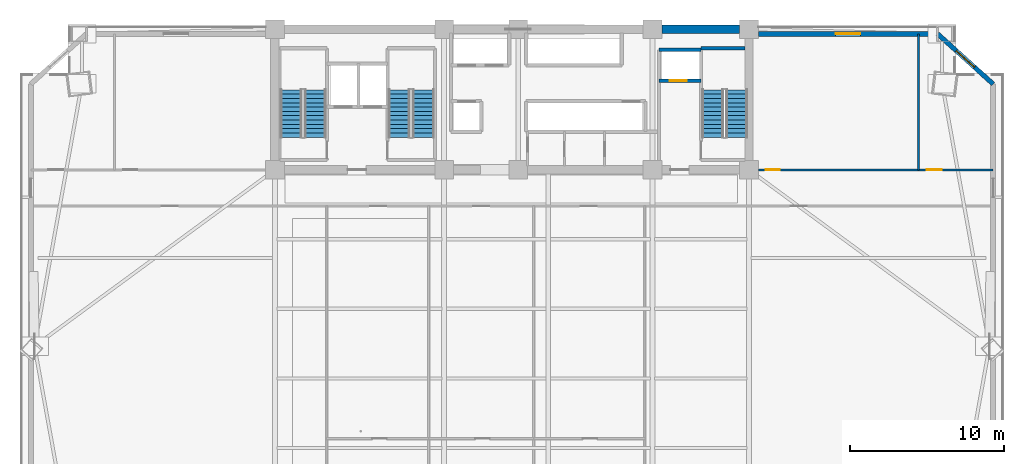
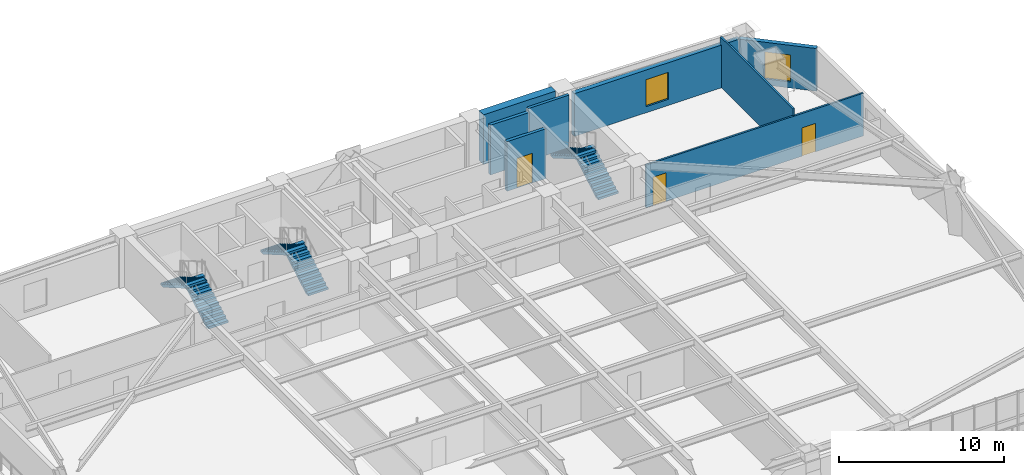
# One storey, part 10 of 16: 8 walls, 6 stair flights, 3 doors, 2 windows, 5 openings, 3 elements without a shape of their own.
"""IFC4 building model written with IfcOpenShell, lengths in metres."""

from ifc_helpers import new_model, si_unit, direction, frame, frame_2d, origin, place, context, subcontext, project, spatial, polyline, rectangle, outline, extrude, source, transform, mapped, material, layer, layer_set, type_object, element, fill, aggregate, save


model = new_model("IFC4")

# Units and contexts
model_context = context("Model", 3, precision=1e-05, world=origin(), true_north=direction((0.0, 1.0)))
body_context = subcontext(model_context, "Body", "Model", "MODEL_VIEW")
ifc_project = project(units=[si_unit("LENGTHUNIT", "METRE"), si_unit("AREAUNIT", "SQUARE_METRE"), si_unit("VOLUMEUNIT", "CUBIC_METRE"), si_unit("PLANEANGLEUNIT", "RADIAN"), si_unit("MASSUNIT", "GRAM", prefix="KILO")], contexts=[model_context])

# Site, building, storey
site_placement = place(None, origin())
site = spatial("IfcSite", under=ifc_project, at=site_placement, CompositionType="ELEMENT")
building_placement = place(site_placement, origin())
building = spatial("IfcBuilding", under=site, at=building_placement, Name="Giltprow Tower", CompositionType="ELEMENT")
storey_placement = place(building_placement, frame((0.0, 0.0, 83.5)))
storey = spatial("IfcBuildingStorey", under=building, at=storey_placement, Name="L20", CompositionType="ELEMENT", Elevation=83.5)

# Wall, opening, window
ifc_material_1 = material(Name="Precast concrete C40", Category="concrete")
ifc_layer_1 = layer(ifc_material_1, 0.300048828125, Name="Precast concrete C40")
ifc_layer_set_1 = layer_set([ifc_layer_1], Name="Precast concrete C40")
wall_type_1 = type_object("IfcWallType", Name="EW-NOTCH-CHAMFER-300", PredefinedType="SOLIDWALL", material=ifc_layer_set_1)
wall_1_placement = place(storey_placement, frame((66.361083984375, 43.00390625, 0.0), z_axis=(0.0, 0.0, 1.0), x_axis=(-0.74231608288, 0.67004987359, 0.0)))
wall_1 = element("IfcWall", 1, at=wall_1_placement, inside=storey, type_object=wall_type_1, Name="L20 Corner Notch Wall NE", PredefinedType="SOLIDWALL", context=body_context, shape_type="SweptSolid", body=[
    extrude(rectangle(XDim=4.844482421875, YDim=0.300048828125, at=frame_2d((2.42236328125, 0.0))), origin(), (0.0, 0.0, 1.0), 3.159912109375),
])
opening_1_placement = place(wall_1_placement, frame((1.6220703125, 0.0, 0.449951171875)))
opening_1 = element("IfcOpeningElement", 2, at=opening_1_placement, cuts=wall_1, Name="Opening WN17", PredefinedType="OPENING", context=body_context, shape_type="SweptSolid", body=[
    extrude(rectangle(XDim=1.60009765625, YDim=2.0, at=frame_2d((0.800048828125, 1.0))), frame((0.0, 0.159912109375, 0.0), z_axis=(0.0, -1.0, 0.0), x_axis=(1.0, 0.0, 0.0)), (0.0, 0.0, 1.0), 0.320068359375),
])
ifc_material_2 = material(Name="Insulated glass", Category="glass")
window_type = type_object("IfcWindowType", Name="WN-COR-1600x2000", PartitioningType="SINGLE_PANEL", PredefinedType="WINDOW", material=ifc_material_2)
shared_shape_1 = source(origin(), body_context, "Body", "SweptSolid", [
    extrude(rectangle(XDim=1.60009765625, YDim=2.0, at=frame_2d((0.800048828125, 1.0))), frame((0.0, 0.030029296875, 0.0), z_axis=(0.0, -1.0, 0.0), x_axis=(1.0, 0.0, 0.0)), (0.0, 0.0, 1.0), 0.06005859375),
])
window_1_placement = place(opening_1_placement, origin())
window_1 = element("IfcWindow", 3, at=window_1_placement, inside=storey, type_object=window_type, Name="L20 Corner Notch Window NE", OverallHeight=2.0, OverallWidth=1.60009765625, PartitioningType="SINGLE_PANEL", PredefinedType="WINDOW", context=body_context, shape_type="MappedRepresentation", body=[
    mapped(shared_shape_1, transform((0.0, 0.0, 0.0), x_axis=(1.0, 0.0, 0.0), y_axis=(0.0, 1.0, 0.0), z_axis=(0.0, 0.0, 1.0), scale=1.0)),
])
fill(opening_1, window_1)

ifc_layer_2 = layer(ifc_material_1, 0.320068359375, Name="Precast concrete C40")
ifc_layer_set_2 = layer_set([ifc_layer_2], Name="Precast concrete C40")
wall_type_2 = type_object("IfcWallType", Name="EW-TOW-STONE-320", PredefinedType="SOLIDWALL", material=ifc_layer_set_2)
wall_2_placement = place(storey_placement, frame((51.14990234375, 46.25, 0.0), z_axis=(0.0, 0.0, 1.0), x_axis=(1.0, 0.0, 0.0)))
wall_2 = element("IfcWall", 4, at=wall_2_placement, inside=storey, type_object=wall_type_2, Name="L20 North-East Wing Wall", PredefinedType="SOLIDWALL", context=body_context, shape_type="SweptSolid", body=[
    extrude(rectangle(XDim=11.614990234375, YDim=0.320068359375, at=frame_2d((5.8076171875, 0.0))), origin(), (0.0, 0.0, 1.0), 3.159912109375),
])
opening_2_placement = place(wall_2_placement, frame((5.008056640625, 0.0, 0.449951171875)))
opening_2 = element("IfcOpeningElement", 5, at=opening_2_placement, cuts=wall_2, Name="Opening WN17", PredefinedType="OPENING", context=body_context, shape_type="SweptSolid", body=[
    extrude(rectangle(XDim=1.60009765625, YDim=2.0, at=frame_2d((0.800048828125, 1.0))), frame((0.0, 0.169921875, 0.0), z_axis=(0.0, -1.0, 0.0), x_axis=(1.0, 0.0, 0.0)), (0.0, 0.0, 1.0), 0.340087890625),
])
window_2_placement = place(opening_2_placement, origin())
window_2 = element("IfcWindow", 6, at=window_2_placement, inside=storey, type_object=window_type, Name="L20 North-East Window", OverallHeight=2.0, OverallWidth=1.60009765625, PartitioningType="SINGLE_PANEL", PredefinedType="WINDOW", context=body_context, shape_type="MappedRepresentation", body=[
    mapped(shared_shape_1, transform((0.0, 0.0, 0.0), x_axis=(1.0, 0.0, 0.0), y_axis=(0.0, 1.0, 0.0), z_axis=(0.0, 0.0, 1.0), scale=1.0)),
])
fill(opening_2, window_2)

# Wall, opening, door
ifc_material_3 = material(Name="Concrete C40", Category="concrete")
ifc_layer_3 = layer(ifc_material_3, 0.219970703125, Name="Concrete C40")
ifc_layer_set_3 = layer_set([ifc_layer_3], Name="Concrete C40")
wall_type_3 = type_object("IfcWallType", Name="IW-SHAFT-220", PredefinedType="SOLIDWALL", material=ifc_layer_set_3)
wall_3_placement = place(storey_placement, frame((44.719970703125, 43.219970703125, 0.0), z_axis=(0.0, 0.0, 1.0), x_axis=(1.0, 0.0, 0.0)))
wall_3 = element("IfcWall", 7, at=wall_3_placement, inside=storey, type_object=wall_type_3, Name="L20 FFL2 Front Shaft Wall", PredefinedType="SOLIDWALL", context=body_context, shape_type="SweptSolid", body=[
    extrude(rectangle(XDim=2.719970703125, YDim=0.219970703125, at=frame_2d((1.35986328125, 0.0))), origin(), (0.0, 0.0, 1.0), 3.679931640625),
])
opening_3_placement = place(wall_3_placement, frame((0.699951171875, 0.0, 0.0)))
opening_3 = element("IfcOpeningElement", 8, at=opening_3_placement, cuts=wall_3, Name="Opening LD-11", PredefinedType="OPENING", context=body_context, shape_type="SweptSolid", body=[
    extrude(rectangle(XDim=1.10009765625, YDim=2.199951171875, at=frame_2d((0.550048828125, 1.10009765625))), frame((0.0, 0.119873046875, 0.0), z_axis=(0.0, -1.0, 0.0), x_axis=(1.0, 0.0, 0.0)), (0.0, 0.0, 1.0), 0.239990234375),
])
ifc_material_4 = material(Name="Stainless steel", Category="steel")
door_type_1 = type_object("IfcDoorType", Name="DR-LIFT-LD1100", OperationType="SLIDING_TO_LEFT", PredefinedType="DOOR", material=ifc_material_4)
shared_shape_2 = source(origin(), body_context, "Body", "SweptSolid", [
    extrude(rectangle(XDim=1.10009765625, YDim=2.199951171875, at=frame_2d((0.550048828125, 1.10009765625))), frame((0.0, 0.02490234375, 0.0), z_axis=(0.0, -1.0, 0.0), x_axis=(1.0, 0.0, 0.0)), (0.0, 0.0, 1.0), 0.050048828125),
])
door_1_placement = place(opening_3_placement, origin())
door_1 = element("IfcDoor", 9, at=door_1_placement, inside=storey, type_object=door_type_1, Name="L20 FFL2 Landing Door", OperationType="SLIDING_TO_LEFT", OverallHeight=2.199951171875, OverallWidth=1.10009765625, PredefinedType="DOOR", context=body_context, shape_type="MappedRepresentation", body=[
    mapped(shared_shape_2, transform((0.0, 0.0, 0.0), x_axis=(1.0, 0.0, 0.0), y_axis=(0.0, 1.0, 0.0), z_axis=(0.0, 0.0, 1.0), scale=1.0)),
])
fill(opening_3, door_1)

# Walls
wall_4_placement = place(storey_placement, frame((44.719970703125, 45.219970703125, 0.0), z_axis=(0.0, 0.0, 1.0), x_axis=(1.0, 0.0, 0.0)))
element("IfcWall", 10, at=wall_4_placement, inside=storey, type_object=wall_type_3, Name="L20 FFL2 Back Shaft Wall", PredefinedType="SOLIDWALL", context=body_context, shape_type="SweptSolid", body=[
    extrude(rectangle(XDim=2.719970703125, YDim=0.219970703125, at=frame_2d((1.35986328125, 0.0))), origin(), (0.0, 0.0, 1.0), 3.679931640625),
])
ifc_layer_4 = layer(ifc_material_3, 0.199951171875, Name="Concrete C40")
ifc_layer_set_4 = layer_set([ifc_layer_4], Name="Concrete C40")
wall_type_4 = type_object("IfcWallType", Name="IW-STAIR-200", PredefinedType="SOLIDWALL", material=ifc_layer_set_4)
wall_5_placement = place(storey_placement, frame((47.43994140625, 45.320068359375, 0.0), z_axis=(0.0, 0.0, 1.0), x_axis=(1.0, 0.0, 0.0)))
element("IfcWall", 11, at=wall_5_placement, inside=storey, type_object=wall_type_4, Name="L20 Stair ST-3 North Bearing Wall", PredefinedType="SOLIDWALL", context=body_context, shape_type="SweptSolid", body=[
    extrude(rectangle(XDim=2.85498046875, YDim=0.199951171875, at=frame_2d((1.427490234375, 0.0))), origin(), (0.0, 0.0, 1.0), 3.89990234375),
])

# Wall, openings, doors
ifc_material_5 = material(Name="Concrete C30", Category="concrete")
ifc_layer_5 = layer(ifc_material_5, 0.1298828125, Name="Concrete C30")
ifc_layer_set_5 = layer_set([ifc_layer_5], Name="Concrete C30")
wall_type_5 = type_object("IfcWallType", Name="IW-WET-130", PredefinedType="PARTITIONING", material=ifc_layer_set_5)
wall_6_placement = place(storey_placement, frame((51.14990234375, 37.449951171875, 0.0), z_axis=(0.0, 0.0, 1.0), x_axis=(1.0, 0.0, 0.0)))
wall_6 = element("IfcWall", 12, at=wall_6_placement, inside=storey, type_object=wall_type_5, Name="L20 NE Wing South Wall", PredefinedType="PARTITIONING", context=body_context, shape_type="SweptSolid", body=[
    extrude(rectangle(XDim=15.211181640625, YDim=0.1298828125, at=frame_2d((7.60546875, 0.0))), origin(), (0.0, 0.0, 1.0), 3.1650390625),
])
opening_4_placement = place(wall_6_placement, frame((0.5, 0.0, 0.0)))
opening_4 = element("IfcOpeningElement", 13, at=opening_4_placement, cuts=wall_6, Name="Opening ID15", PredefinedType="OPENING", context=body_context, shape_type="SweptSolid", body=[
    extrude(rectangle(XDim=0.89990234375, YDim=2.10009765625, at=frame_2d((0.449951171875, 1.050048828125))), frame((0.0, 0.074951171875, 0.0), z_axis=(0.0, -1.0, 0.0), x_axis=(1.0, 0.0, 0.0)), (0.0, 0.0, 1.0), 0.14990234375),
])
opening_5_placement = place(wall_6_placement, frame((10.923095703125, 0.0, 0.0)))
opening_5 = element("IfcOpeningElement", 14, at=opening_5_placement, cuts=wall_6, Name="Opening ID11", PredefinedType="OPENING", context=body_context, shape_type="SweptSolid", body=[
    extrude(rectangle(XDim=0.949951171875, YDim=2.10009765625, at=frame_2d((0.47509765625, 1.050048828125))), frame((0.0, 0.074951171875, 0.0), z_axis=(0.0, -1.0, 0.0), x_axis=(1.0, 0.0, 0.0)), (0.0, 0.0, 1.0), 0.14990234375),
])
ifc_material_6 = material(Name="Engineered timber", Category="wood")
door_type_2 = type_object("IfcDoorType", Name="DR-WC-900", OperationType="SINGLE_SWING_LEFT", PredefinedType="DOOR", material=ifc_material_6)
shared_shape_3 = source(origin(), body_context, "Body", "SweptSolid", [
    extrude(rectangle(XDim=0.89990234375, YDim=2.10009765625, at=frame_2d((0.449951171875, 1.050048828125))), frame((0.0, 0.02490234375, 0.0), z_axis=(0.0, -1.0, 0.0), x_axis=(1.0, 0.0, 0.0)), (0.0, 0.0, 1.0), 0.050048828125),
])
door_2_placement = place(opening_4_placement, origin())
door_2 = element("IfcDoor", 15, at=door_2_placement, inside=storey, type_object=door_type_2, Name="L20 East Wing Washroom Door", OperationType="SINGLE_SWING_RIGHT", OverallHeight=2.10009765625, OverallWidth=0.89990234375, PredefinedType="DOOR", context=body_context, shape_type="MappedRepresentation", body=[
    mapped(shared_shape_3, transform((0.0, 0.0, 0.0), x_axis=(1.0, 0.0, 0.0), y_axis=(0.0, 1.0, 0.0), z_axis=(0.0, 0.0, 1.0), scale=1.0)),
])
fill(opening_4, door_2)
door_type_3 = type_object("IfcDoorType", Name="DR-ROOM-950", OperationType="SINGLE_SWING_RIGHT", PredefinedType="DOOR", material=ifc_material_6)
shared_shape_4 = source(origin(), body_context, "Body", "SweptSolid", [
    extrude(rectangle(XDim=0.949951171875, YDim=2.10009765625, at=frame_2d((0.47509765625, 1.050048828125))), frame((0.0, 0.02490234375, 0.0), z_axis=(0.0, -1.0, 0.0), x_axis=(1.0, 0.0, 0.0)), (0.0, 0.0, 1.0), 0.050048828125),
])
door_3_placement = place(opening_5_placement, origin())
door_3 = element("IfcDoor", 16, at=door_3_placement, inside=storey, type_object=door_type_3, Name="L20 East Tenant Archive Store Door", OperationType="SINGLE_SWING_RIGHT", OverallHeight=2.10009765625, OverallWidth=0.949951171875, PredefinedType="DOOR", context=body_context, shape_type="MappedRepresentation", body=[
    mapped(shared_shape_4, transform((0.0, 0.0, 0.0), x_axis=(1.0, 0.0, 0.0), y_axis=(0.0, 1.0, 0.0), z_axis=(0.0, 0.0, 1.0), scale=1.0)),
])
fill(opening_5, door_3)

# Walls
wall_7_placement = place(storey_placement, frame((61.52294921875, 37.449951171875, 0.0), z_axis=(0.0, 0.0, 1.0), x_axis=(0.0, 1.0, 0.0)))
element("IfcWall", 17, at=wall_7_placement, inside=storey, type_object=wall_type_5, Name="L20 NE Wing Divider", PredefinedType="PARTITIONING", context=body_context, shape_type="SweptSolid", body=[
    extrude(rectangle(XDim=8.800048828125, YDim=0.1298828125, at=frame_2d((4.39990234375, 0.0))), origin(), (0.0, 0.0, 1.0), 3.679931640625),
])
ifc_material_7 = material(Name="Concrete C60", Category="concrete")
ifc_layer_6 = layer(ifc_material_7, 0.550048828125, Name="Concrete C60")
ifc_layer_set_6 = layer_set([ifc_layer_6], Name="Concrete C60")
wall_type_6 = type_object("IfcWallType", Name="SW-EXT-550-C60", PredefinedType="SHEAR", material=ifc_layer_set_6)
wall_8_placement = place(storey_placement, frame((44.89990234375, 46.550048828125, 0.0), z_axis=(0.0, 0.0, 1.0), x_axis=(1.0, 0.0, 0.0)))
element("IfcWall", 18, at=wall_8_placement, inside=storey, type_object=wall_type_6, Name="L20 North Rear Core Shear Wall 4", PredefinedType="SHEAR", context=body_context, shape_type="SweptSolid", body=[
    extrude(rectangle(XDim=5.050048828125, YDim=0.550048828125, at=frame_2d((2.52490234375, 0.0))), origin(), (0.0, 0.0, 1.0), 3.679931640625),
])

# Stair, stair flights
stair_type_1 = type_object("IfcStairType", Name="STR-ST-1", PredefinedType="HALF_TURN_STAIR", material=ifc_material_3)
stair_1_placement = place(storey_placement, origin())
stair_1 = element("IfcStair", 19, at=stair_1_placement, inside=storey, type_object=stair_type_1, Name="L20 Core Exit Stair ST-1", PredefinedType="HALF_TURN_STAIR")
stair_flight_type_1 = type_object("IfcStairFlightType", Name="SFL-ST-1", PredefinedType="STRAIGHT", material=ifc_material_3)
stair_flight_1_placement = place(storey_placement, frame((22.4599609375, 39.550048828125, 0.0), z_axis=(0.0, 0.0, 1.0), x_axis=(0.0, 1.0, 0.0)))
stair_flight_1 = element("IfcStairFlight", 20, at=stair_flight_1_placement, type_object=stair_flight_type_1, Name="ST-1 flight 1", NumberOfRisers=12, NumberOfTreads=11, PredefinedType="STRAIGHT", RiserHeight=0.1625, TreadLength=0.28, context=body_context, shape_type="SweptSolid", body=[
    extrude(outline(polyline([(0.0, 0.0), (0.0, 0.16259765625), (0.280029296875, 0.16259765625), (0.280029296875, 0.324951171875), (0.56005859375, 0.324951171875), (0.56005859375, 0.487548828125), (0.840087890625, 0.487548828125), (0.840087890625, 0.64990234375), (1.1201171875, 0.64990234375), (1.1201171875, 0.8125), (1.39990234375, 0.8125), (1.39990234375, 0.97509765625), (1.679931640625, 0.97509765625), (1.679931640625, 1.137451171875), (1.9599609375, 1.137451171875), (1.9599609375, 1.300048828125), (2.239990234375, 1.300048828125), (2.239990234375, 1.46240234375), (2.52001953125, 1.46240234375), (2.52001953125, 1.625), (2.800048828125, 1.625), (2.800048828125, 1.78759765625), (3.080078125, 1.78759765625), (3.080078125, 1.949951171875), (3.080078125, 1.6142578125), (0.298583984375, 0.0), (0.0, 0.0)])), frame((0.0, 0.699951171875, 0.0), z_axis=(0.0, -1.0, 0.0), x_axis=(1.0, 0.0, 0.0)), (0.0, 0.0, 1.0), 1.39990234375),
])
stair_flight_2_placement = place(storey_placement, frame((20.89990234375, 42.6298828125, 1.949951171875), z_axis=(0.0, 0.0, 1.0), x_axis=(0.0, -1.0, 0.0)))
stair_flight_2 = element("IfcStairFlight", 21, at=stair_flight_2_placement, type_object=stair_flight_type_1, Name="ST-1 flight 2", NumberOfRisers=12, NumberOfTreads=11, PredefinedType="STRAIGHT", RiserHeight=0.1625, TreadLength=0.28, context=body_context, shape_type="SweptSolid", body=[
    extrude(outline(polyline([(0.0, 0.0), (0.0, 0.16259765625), (0.280029296875, 0.16259765625), (0.280029296875, 0.324951171875), (0.56005859375, 0.324951171875), (0.56005859375, 0.487548828125), (0.840087890625, 0.487548828125), (0.840087890625, 0.64990234375), (1.1201171875, 0.64990234375), (1.1201171875, 0.8125), (1.39990234375, 0.8125), (1.39990234375, 0.97509765625), (1.679931640625, 0.97509765625), (1.679931640625, 1.137451171875), (1.9599609375, 1.137451171875), (1.9599609375, 1.300048828125), (2.239990234375, 1.300048828125), (2.239990234375, 1.46240234375), (2.52001953125, 1.46240234375), (2.52001953125, 1.625), (2.800048828125, 1.625), (2.800048828125, 1.78759765625), (3.080078125, 1.78759765625), (3.080078125, 1.949951171875), (3.080078125, 1.6142578125), (0.298583984375, 0.0), (0.0, 0.0)])), frame((0.0, 0.699951171875, 0.0), z_axis=(0.0, -1.0, 0.0), x_axis=(1.0, 0.0, 0.0)), (0.0, 0.0, 1.0), 1.39990234375),
])
aggregate(stair_1, [stair_flight_1, stair_flight_2])

stair_type_2 = type_object("IfcStairType", Name="STR-ST-2", PredefinedType="HALF_TURN_STAIR", material=ifc_material_3)
stair_2_placement = place(storey_placement, origin())
stair_2 = element("IfcStair", 22, at=stair_2_placement, inside=storey, type_object=stair_type_2, Name="L20 Core Exit Stair ST-2", PredefinedType="HALF_TURN_STAIR")
stair_flight_type_2 = type_object("IfcStairFlightType", Name="SFL-ST-2", PredefinedType="STRAIGHT", material=ifc_material_3)
stair_flight_3_placement = place(storey_placement, frame((29.4599609375, 39.550048828125, 0.0), z_axis=(0.0, 0.0, 1.0), x_axis=(0.0, 1.0, 0.0)))
stair_flight_3 = element("IfcStairFlight", 23, at=stair_flight_3_placement, type_object=stair_flight_type_2, Name="ST-2 flight 1", NumberOfRisers=12, NumberOfTreads=11, PredefinedType="STRAIGHT", RiserHeight=0.1625, TreadLength=0.28, context=body_context, shape_type="SweptSolid", body=[
    extrude(outline(polyline([(0.0, 0.0), (0.0, 0.16259765625), (0.280029296875, 0.16259765625), (0.280029296875, 0.324951171875), (0.56005859375, 0.324951171875), (0.56005859375, 0.487548828125), (0.840087890625, 0.487548828125), (0.840087890625, 0.64990234375), (1.1201171875, 0.64990234375), (1.1201171875, 0.8125), (1.39990234375, 0.8125), (1.39990234375, 0.97509765625), (1.679931640625, 0.97509765625), (1.679931640625, 1.137451171875), (1.9599609375, 1.137451171875), (1.9599609375, 1.300048828125), (2.239990234375, 1.300048828125), (2.239990234375, 1.46240234375), (2.52001953125, 1.46240234375), (2.52001953125, 1.625), (2.800048828125, 1.625), (2.800048828125, 1.78759765625), (3.080078125, 1.78759765625), (3.080078125, 1.949951171875), (3.080078125, 1.6142578125), (0.298583984375, 0.0), (0.0, 0.0)])), frame((0.0, 0.699951171875, 0.0), z_axis=(0.0, -1.0, 0.0), x_axis=(1.0, 0.0, 0.0)), (0.0, 0.0, 1.0), 1.39990234375),
])
stair_flight_4_placement = place(storey_placement, frame((27.89990234375, 42.6298828125, 1.949951171875), z_axis=(0.0, 0.0, 1.0), x_axis=(0.0, -1.0, 0.0)))
stair_flight_4 = element("IfcStairFlight", 24, at=stair_flight_4_placement, type_object=stair_flight_type_2, Name="ST-2 flight 2", NumberOfRisers=12, NumberOfTreads=11, PredefinedType="STRAIGHT", RiserHeight=0.1625, TreadLength=0.28, context=body_context, shape_type="SweptSolid", body=[
    extrude(outline(polyline([(0.0, 0.0), (0.0, 0.16259765625), (0.280029296875, 0.16259765625), (0.280029296875, 0.324951171875), (0.56005859375, 0.324951171875), (0.56005859375, 0.487548828125), (0.840087890625, 0.487548828125), (0.840087890625, 0.64990234375), (1.1201171875, 0.64990234375), (1.1201171875, 0.8125), (1.39990234375, 0.8125), (1.39990234375, 0.97509765625), (1.679931640625, 0.97509765625), (1.679931640625, 1.137451171875), (1.9599609375, 1.137451171875), (1.9599609375, 1.300048828125), (2.239990234375, 1.300048828125), (2.239990234375, 1.46240234375), (2.52001953125, 1.46240234375), (2.52001953125, 1.625), (2.800048828125, 1.625), (2.800048828125, 1.78759765625), (3.080078125, 1.78759765625), (3.080078125, 1.949951171875), (3.080078125, 1.6142578125), (0.298583984375, 0.0), (0.0, 0.0)])), frame((0.0, 0.699951171875, 0.0), z_axis=(0.0, -1.0, 0.0), x_axis=(1.0, 0.0, 0.0)), (0.0, 0.0, 1.0), 1.39990234375),
])
aggregate(stair_2, [stair_flight_3, stair_flight_4])

stair_type_3 = type_object("IfcStairType", Name="STR-ST-3", PredefinedType="HALF_TURN_STAIR", material=ifc_material_3)
stair_3_placement = place(storey_placement, origin())
stair_3 = element("IfcStair", 25, at=stair_3_placement, inside=storey, type_object=stair_type_3, Name="L20 Core Exit Stair ST-3", PredefinedType="HALF_TURN_STAIR")
stair_flight_type_3 = type_object("IfcStairFlightType", Name="SFL-ST-3", PredefinedType="STRAIGHT", material=ifc_material_3)
stair_flight_5_placement = place(storey_placement, frame((49.760009765625, 39.550048828125, 0.0), z_axis=(0.0, 0.0, 1.0), x_axis=(0.0, 1.0, 0.0)))
stair_flight_5 = element("IfcStairFlight", 26, at=stair_flight_5_placement, type_object=stair_flight_type_3, Name="ST-3 flight 1", NumberOfRisers=12, NumberOfTreads=11, PredefinedType="STRAIGHT", RiserHeight=0.1625, TreadLength=0.28, context=body_context, shape_type="SweptSolid", body=[
    extrude(outline(polyline([(0.0, 0.0), (0.0, 0.16259765625), (0.280029296875, 0.16259765625), (0.280029296875, 0.324951171875), (0.56005859375, 0.324951171875), (0.56005859375, 0.487548828125), (0.840087890625, 0.487548828125), (0.840087890625, 0.64990234375), (1.1201171875, 0.64990234375), (1.1201171875, 0.8125), (1.39990234375, 0.8125), (1.39990234375, 0.97509765625), (1.679931640625, 0.97509765625), (1.679931640625, 1.137451171875), (1.9599609375, 1.137451171875), (1.9599609375, 1.300048828125), (2.239990234375, 1.300048828125), (2.239990234375, 1.46240234375), (2.52001953125, 1.46240234375), (2.52001953125, 1.625), (2.800048828125, 1.625), (2.800048828125, 1.78759765625), (3.080078125, 1.78759765625), (3.080078125, 1.949951171875), (3.080078125, 1.6142578125), (0.298583984375, 0.0), (0.0, 0.0)])), frame((0.0, 0.699951171875, 0.0), z_axis=(0.0, -1.0, 0.0), x_axis=(1.0, 0.0, 0.0)), (0.0, 0.0, 1.0), 1.39990234375),
])
stair_flight_6_placement = place(storey_placement, frame((48.199951171875, 42.6298828125, 1.949951171875), z_axis=(0.0, 0.0, 1.0), x_axis=(0.0, -1.0, 0.0)))
stair_flight_6 = element("IfcStairFlight", 27, at=stair_flight_6_placement, type_object=stair_flight_type_3, Name="ST-3 flight 2", NumberOfRisers=12, NumberOfTreads=11, PredefinedType="STRAIGHT", RiserHeight=0.1625, TreadLength=0.28, context=body_context, shape_type="SweptSolid", body=[
    extrude(outline(polyline([(0.0, 0.0), (0.0, 0.16259765625), (0.280029296875, 0.16259765625), (0.280029296875, 0.324951171875), (0.56005859375, 0.324951171875), (0.56005859375, 0.487548828125), (0.840087890625, 0.487548828125), (0.840087890625, 0.64990234375), (1.1201171875, 0.64990234375), (1.1201171875, 0.8125), (1.39990234375, 0.8125), (1.39990234375, 0.97509765625), (1.679931640625, 0.97509765625), (1.679931640625, 1.137451171875), (1.9599609375, 1.137451171875), (1.9599609375, 1.300048828125), (2.239990234375, 1.300048828125), (2.239990234375, 1.46240234375), (2.52001953125, 1.46240234375), (2.52001953125, 1.625), (2.800048828125, 1.625), (2.800048828125, 1.78759765625), (3.080078125, 1.78759765625), (3.080078125, 1.949951171875), (3.080078125, 1.6142578125), (0.298583984375, 0.0), (0.0, 0.0)])), frame((0.0, 0.699951171875, 0.0), z_axis=(0.0, -1.0, 0.0), x_axis=(1.0, 0.0, 0.0)), (0.0, 0.0, 1.0), 1.39990234375),
])
aggregate(stair_3, [stair_flight_5, stair_flight_6])

save(model, "model.ifc")
